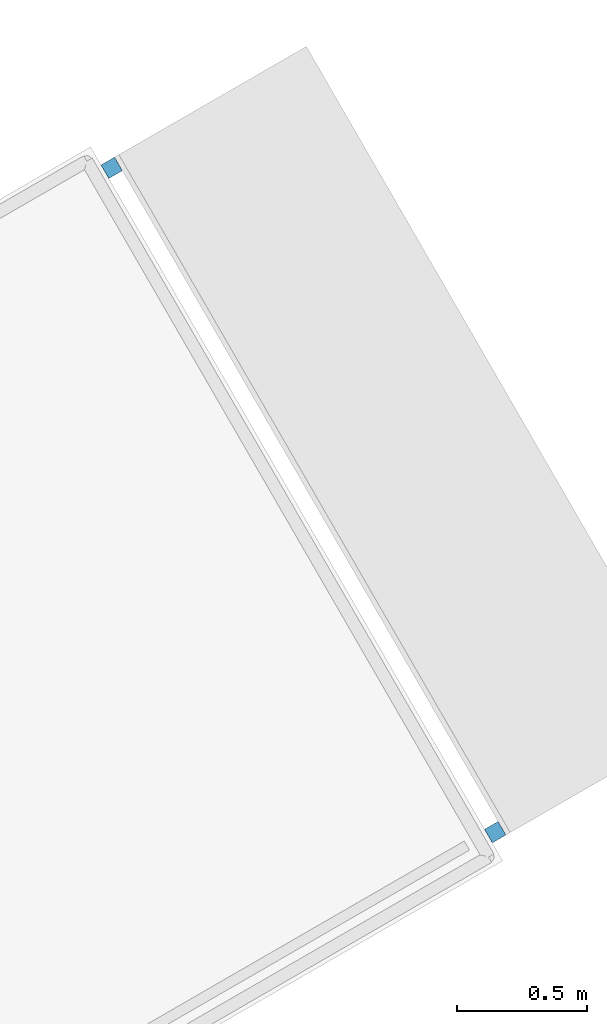
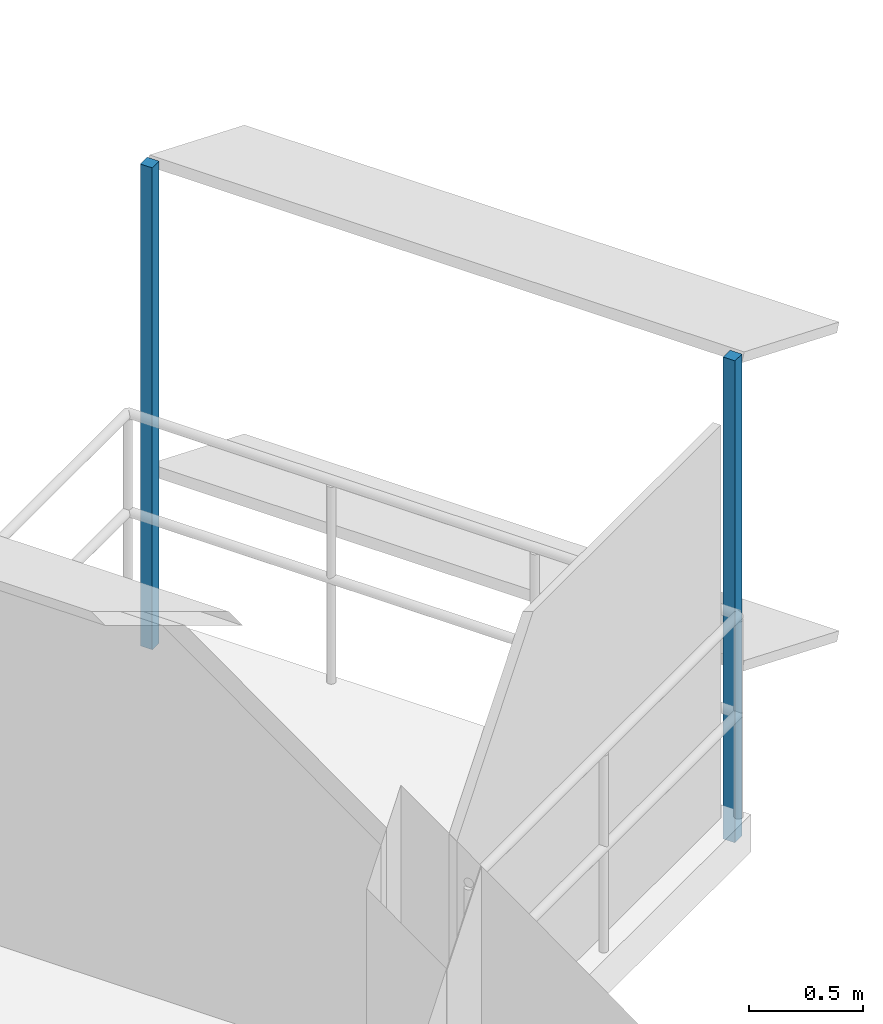
# One storey, part 11 of 14: 2 discrete accessories.
"""IFC4 building model written with IfcOpenShell, lengths in metres."""

from ifc_helpers import new_model, si_unit, direction, frame, origin, origin_2d, place, context, subcontext, project, spatial, rectangle, extrude, material, type_object, element, save


model = new_model("IFC4")

# Units and contexts
model_context = context("Model", 3, precision=1e-05, world=origin(), true_north=direction((0.0, 1.0)))
body_context = subcontext(model_context, "Body", "Model", "MODEL_VIEW")
ifc_project = project(units=[si_unit("LENGTHUNIT", "METRE"), si_unit("AREAUNIT", "SQUARE_METRE"), si_unit("VOLUMEUNIT", "CUBIC_METRE"), si_unit("PLANEANGLEUNIT", "RADIAN"), si_unit("MASSUNIT", "GRAM", prefix="KILO")], contexts=[model_context])

# Site, building, storey
site_placement = place(None, origin())
site = spatial("IfcSite", under=ifc_project, at=site_placement, CompositionType="ELEMENT")
building_placement = place(site_placement, origin())
building = spatial("IfcBuilding", under=site, at=building_placement, Name="Nakaniwa Court", CompositionType="ELEMENT")
storey_placement = place(building_placement, frame((0.0, 0.0, 117.300048828125)))
storey = spatial("IfcBuildingStorey", under=building, at=storey_placement, Name="L31", CompositionType="ELEMENT", Elevation=117.300048828125)

# Discrete accessories
ifc_material = material(Name="Black powder-coated steel bracket S275", Category="steel")
discrete_accessory_type = type_object("IfcDiscreteAccessoryType", Name="Black metal louvre bracket", PredefinedType="BRACKET", material=ifc_material)
for number, where, z_axis, x_axis, name in (
    (1, (104.90185546875, 89.728515625, -0.22998046875), (0.0, 0.0, 1.0), (-0.499974304289, 0.866040238702, 0.0), "L31 louvre bracket 02 1"),
    (2, (103.428955078125, 92.27978515625, -0.22998046875), (0.0, 0.0, 1.0), (-0.499974304289, 0.866040238702, 0.0), "L31 louvre bracket 02 2"),
):
    element("IfcDiscreteAccessory", number, at=place(storey_placement, frame(where, z_axis=z_axis, x_axis=x_axis)), inside=storey, type_object=discrete_accessory_type, Name=name, PredefinedType="BRACKET", context=body_context, shape_type="SweptSolid", body=[
        extrude(rectangle(XDim=0.06005859375, YDim=0.06005859375, at=origin_2d()), origin(), (0.0, 0.0, 1.0), 2.5751953125),
    ])

save(model, "model.ifc")
